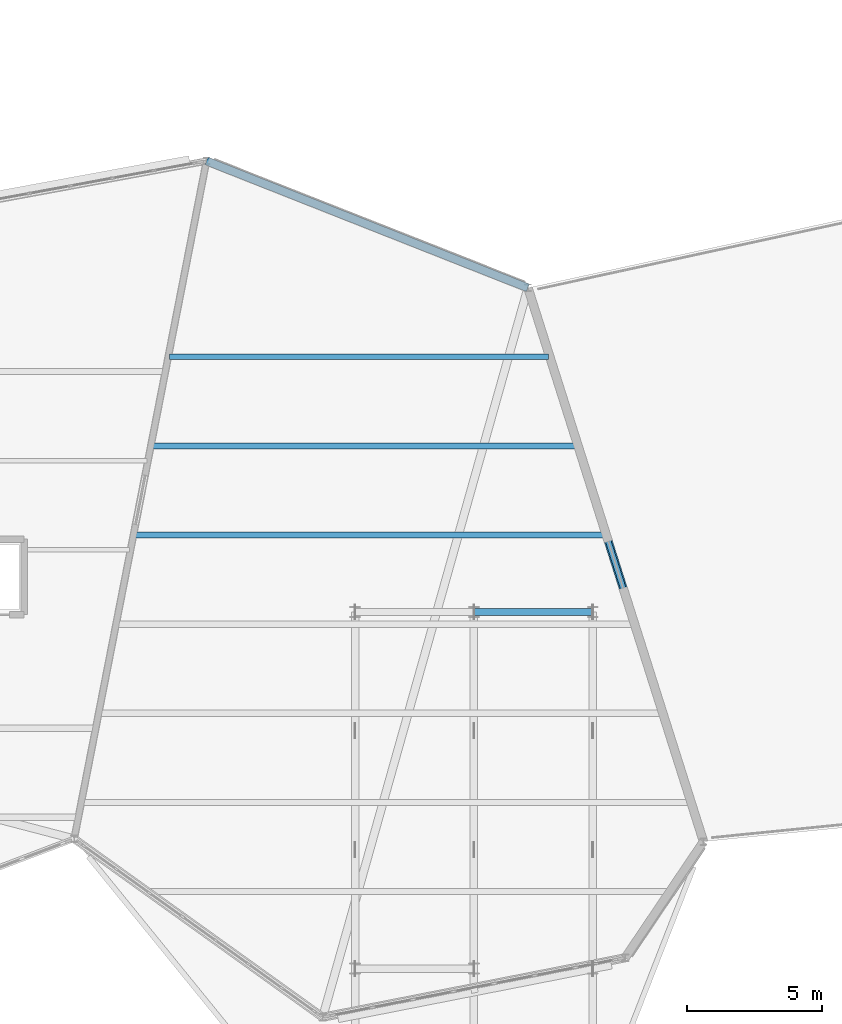
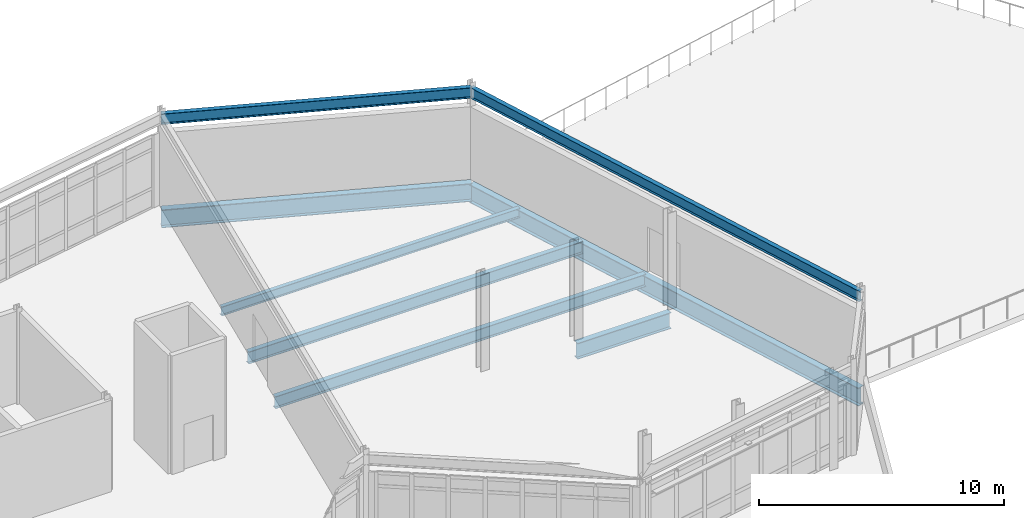
# One storey, part 41 of 76: 8 beams.
"""IFC4 building model written with IfcOpenShell, lengths in metres."""

from ifc_helpers import new_model, si_unit, direction, frame, origin, origin_2d, place, context, subcontext, project, spatial, i_section, extrude, material, material_profile, profile_set, type_object, element, save


model = new_model("IFC4")

# Units and contexts
model_context = context("Model", 3, precision=1e-05, world=origin(), true_north=direction((0.0, 1.0)))
body_context = subcontext(model_context, "Body", "Model", "MODEL_VIEW")
ifc_project = project(units=[si_unit("LENGTHUNIT", "METRE"), si_unit("AREAUNIT", "SQUARE_METRE"), si_unit("VOLUMEUNIT", "CUBIC_METRE"), si_unit("PLANEANGLEUNIT", "RADIAN"), si_unit("MASSUNIT", "GRAM", prefix="KILO")], contexts=[model_context])

# Site, building, storey
site_placement = place(None, origin())
site = spatial("IfcSite", under=ifc_project, at=site_placement, CompositionType="ELEMENT")
building_placement = place(site_placement, origin())
building = spatial("IfcBuilding", under=site, at=building_placement, Name="Tameran Prism Museum", CompositionType="ELEMENT")
storey_placement = place(building_placement, frame((0.0, 0.0, 15.0)))
storey = spatial("IfcBuildingStorey", under=building, at=storey_placement, Name="L03", CompositionType="ELEMENT", Elevation=15.0)

# Beams
ifc_material_1 = material(Name="Steel Grade 300PLUS (300 MPa)", Category="steel")
ifc_material_profile_1 = material_profile(ifc_material_1, i_section(OverallWidth=0.18994140625, OverallDepth=0.4541015625, WebThickness=0.008544921875, FlangeThickness=0.0126953125, FilletRadius=0.011474609375, at=origin_2d()))
ifc_profile_set_1 = profile_set([ifc_material_profile_1])
beam_type_1 = type_object("IfcBeamType", Name="BM-J460B", PredefinedType="JOIST", material=ifc_profile_set_1)
beam_1_placement = place(storey_placement, frame((124.22509765625, 40.14990234375, -0.447021484375), z_axis=(1.0, 0.0, 0.0), x_axis=(0.0, 1.0, 0.0)))
element("IfcBeam", 1, at=beam_1_placement, inside=storey, type_object=beam_type_1, Name="Floor Beam BM-1119", PredefinedType="JOIST", context=body_context, shape_type="SweptSolid", body=[
    extrude(i_section(OverallWidth=0.18994140625, OverallDepth=0.4541015625, WebThickness=0.008544921875, FlangeThickness=0.0126953125, FilletRadius=0.011474609375, at=origin_2d()), origin(), (0.0, 0.0, 1.0), 14.0419921875),
])
ifc_material_2 = material(Name="Steel Grade 300PLUS (300 MPa)", Category="steel")
ifc_material_profile_2 = material_profile(ifc_material_2, i_section(OverallWidth=0.208984375, OverallDepth=0.528076171875, WebThickness=0.009521484375, FlangeThickness=0.01318359375, FilletRadius=0.013916015625, at=origin_2d()))
ifc_profile_set_2 = profile_set([ifc_material_profile_2])
beam_type_2 = type_object("IfcBeamType", Name="BM-SP530B", PredefinedType="SPANDREL", material=ifc_profile_set_2)
beam_2_placement = place(storey_placement, frame((137.5, 42.699951171875, 4.256103515625), z_axis=(-0.93008523402, 0.36734378647, 0.0), x_axis=(-0.36734378647, -0.93008523402, 0.0)))
element("IfcBeam", 2, at=beam_2_placement, inside=storey, type_object=beam_type_2, Name="Roof Ring Beam RB-0988", PredefinedType="SPANDREL", context=body_context, shape_type="SweptSolid", body=[
    extrude(i_section(OverallWidth=0.208984375, OverallDepth=0.528076171875, WebThickness=0.009521484375, FlangeThickness=0.01318359375, FilletRadius=0.013916015625, at=origin_2d()), origin(), (0.0, 0.0, 1.0), 12.79443359375),
])
beam_3_placement = place(storey_placement, frame((144.0, 22.199951171875, 4.256103515625), z_axis=(-0.302243860734, 0.953230637699, 0.0), x_axis=(-0.953230637699, -0.302243860734, 0.0)))
element("IfcBeam", 3, at=beam_3_placement, inside=storey, type_object=beam_type_2, Name="Roof Ring Beam RB-0992", PredefinedType="SPANDREL", context=body_context, shape_type="SweptSolid", body=[
    extrude(i_section(OverallWidth=0.208984375, OverallDepth=0.528076171875, WebThickness=0.009521484375, FlangeThickness=0.01318359375, FilletRadius=0.013916015625, at=origin_2d()), origin(), (0.0, 0.0, 1.0), 21.505859375),
])
ifc_material_3 = material(Name="Steel Grade 300PLUS (300 MPa)", Category="steel")
ifc_material_profile_3 = material_profile(ifc_material_3, i_section(OverallWidth=0.22802734375, OverallDepth=0.60693359375, WebThickness=0.01123046875, FlangeThickness=0.017333984375, FilletRadius=0.013916015625, at=origin_2d()))
ifc_profile_set_3 = profile_set([ifc_material_profile_3])
beam_type_3 = type_object("IfcBeamType", Name="BM-UB610B", PredefinedType="BEAM", material=ifc_profile_set_3)
beam_4_placement = place(storey_placement, frame((122.93701171875, 33.550048828125, -0.5234375), z_axis=(1.0, 0.0, 0.0), x_axis=(0.0, 1.0, 0.0)))
element("IfcBeam", 4, at=beam_4_placement, inside=storey, type_object=beam_type_3, Name="Floor Beam BM-1117", PredefinedType="BEAM", context=body_context, shape_type="SweptSolid", body=[
    extrude(i_section(OverallWidth=0.22802734375, OverallDepth=0.60693359375, WebThickness=0.01123046875, FlangeThickness=0.017333984375, FilletRadius=0.013916015625, at=origin_2d()), origin(), (0.0, 0.0, 1.0), 17.421875),
])
beam_5_placement = place(storey_placement, frame((123.5810546875, 36.85009765625, -0.5234375), z_axis=(1.0, 0.0, 0.0), x_axis=(0.0, 1.0, 0.0)))
element("IfcBeam", 5, at=beam_5_placement, inside=storey, type_object=beam_type_3, Name="Floor Beam BM-1118", PredefinedType="BEAM", context=body_context, shape_type="SweptSolid", body=[
    extrude(i_section(OverallWidth=0.22802734375, OverallDepth=0.60693359375, WebThickness=0.01123046875, FlangeThickness=0.017333984375, FilletRadius=0.013916015625, at=origin_2d()), origin(), (0.0, 0.0, 1.0), 15.73193359375),
])
ifc_material_4 = material(Name="Steel Grade 350 (350 MPa)", Category="steel")
ifc_material_profile_4 = material_profile(ifc_material_4, i_section(OverallWidth=0.27490234375, OverallDepth=0.800048828125, WebThickness=0.011962890625, FlangeThickness=0.02490234375, at=origin_2d()))
ifc_profile_set_4 = profile_set([ifc_material_profile_4])
beam_type_4 = type_object("IfcBeamType", Name="BM-WB800", PredefinedType="BEAM", material=ifc_profile_set_4)
beam_6_placement = place(storey_placement, frame((135.5, 30.699951171875, -0.6201171875), z_axis=(1.0, 0.0, 0.0), x_axis=(0.0, 1.0, 0.0)))
element("IfcBeam", 6, at=beam_6_placement, inside=storey, type_object=beam_type_4, Name="Frame Tie Girder FG-1379", PredefinedType="BEAM", context=body_context, shape_type="SweptSolid", body=[
    extrude(i_section(OverallWidth=0.27490234375, OverallDepth=0.800048828125, WebThickness=0.011962890625, FlangeThickness=0.02490234375, at=origin_2d()), origin(), (0.0, 0.0, 1.0), 4.39990234375),
])
ifc_material_5 = material(Name="Steel Grade 350 (350 MPa)", Category="steel")
ifc_material_profile_5 = material_profile(ifc_material_5, i_section(OverallWidth=0.300048828125, OverallDepth=0.89990234375, WebThickness=0.011962890625, FlangeThickness=0.030029296875, at=origin_2d()))
ifc_profile_set_5 = profile_set([ifc_material_profile_5])
beam_type_5 = type_object("IfcBeamType", Name="BM-WB900", PredefinedType="BEAM", material=ifc_profile_set_5)
beam_7_placement = place(storey_placement, frame((137.5, 42.699951171875, -0.669921875), z_axis=(-0.93008523402, 0.36734378647, 0.0), x_axis=(-0.36734378647, -0.93008523402, 0.0)))
element("IfcBeam", 7, at=beam_7_placement, inside=storey, type_object=beam_type_5, Name="Perimeter Spandrel SP-0983", PredefinedType="BEAM", context=body_context, shape_type="SweptSolid", body=[
    extrude(i_section(OverallWidth=0.300048828125, OverallDepth=0.89990234375, WebThickness=0.011962890625, FlangeThickness=0.030029296875, at=origin_2d()), origin(), (0.0, 0.0, 1.0), 12.79443359375),
])
beam_8_placement = place(storey_placement, frame((144.0, 22.199951171875, -0.72998046875), z_axis=(-0.302243860734, 0.953230637699, 0.0), x_axis=(-0.953230637699, -0.302243860734, 0.0)))
element("IfcBeam", 8, at=beam_8_placement, inside=storey, type_object=beam_type_5, Name="Perimeter Spandrel SP-0987", PredefinedType="BEAM", context=body_context, shape_type="SweptSolid", body=[
    extrude(i_section(OverallWidth=0.300048828125, OverallDepth=0.89990234375, WebThickness=0.011962890625, FlangeThickness=0.030029296875, at=origin_2d()), origin(), (0.0, 0.0, 1.0), 21.505859375),
])

save(model, "model.ifc")
